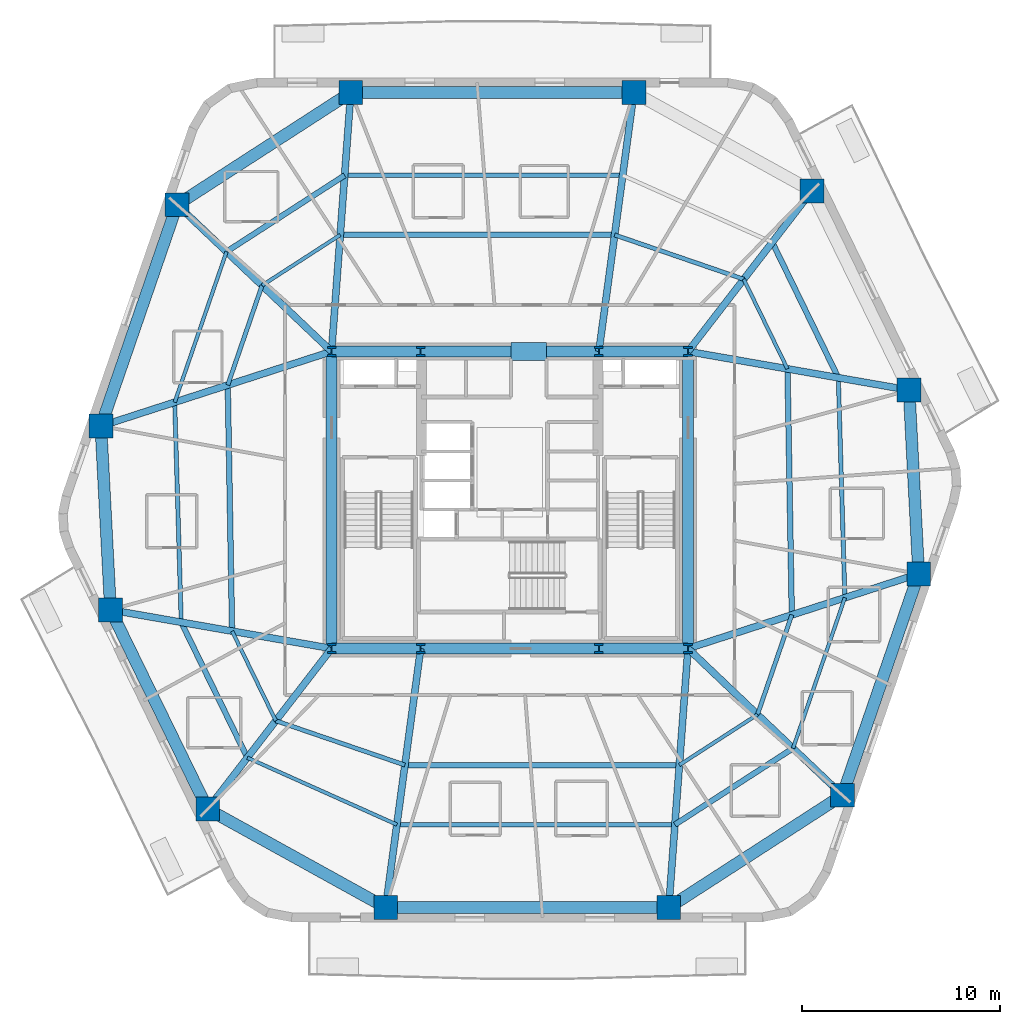
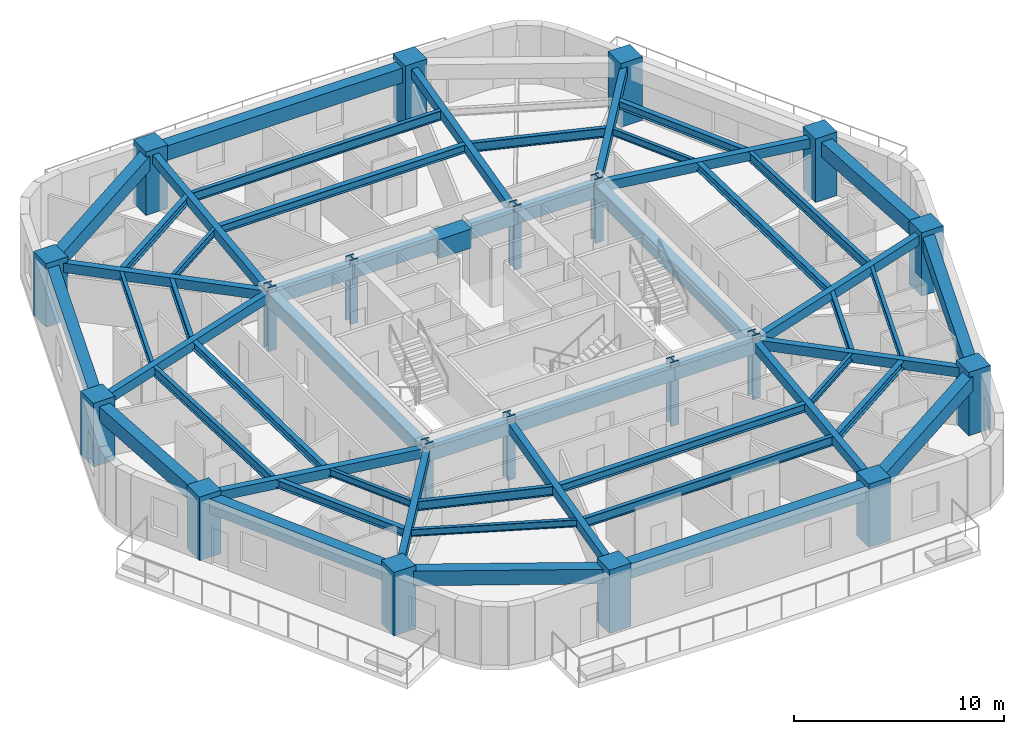
# One storey, part 1 of 10: 54 beams, 20 columns.
"""IFC4 building model written with IfcOpenShell, lengths in metres."""

from ifc_helpers import new_model, si_unit, direction, frame, origin, origin_2d, place, context, subcontext, project, spatial, rectangle, i_section, extrude, material, material_profile, profile_set, type_object, element, save


model = new_model("IFC4")

# Units and contexts
model_context = context("Model", 3, precision=1e-05, world=origin(), true_north=direction((0.0, 1.0)))
body_context = subcontext(model_context, "Body", "Model", "MODEL_VIEW")
ifc_project = project(units=[si_unit("LENGTHUNIT", "METRE"), si_unit("AREAUNIT", "SQUARE_METRE"), si_unit("VOLUMEUNIT", "CUBIC_METRE"), si_unit("PLANEANGLEUNIT", "RADIAN"), si_unit("MASSUNIT", "GRAM", prefix="KILO")], contexts=[model_context])

# Site, building, storey
site_placement = place(None, origin())
site = spatial("IfcSite", under=ifc_project, at=site_placement, CompositionType="ELEMENT")
building_placement = place(site_placement, origin())
building = spatial("IfcBuilding", under=site, at=building_placement, Name="Kilnhurst Terrace Hotel", CompositionType="ELEMENT")
storey_placement = place(building_placement, frame((0.0, 0.0, 91.39990234375)))
storey = spatial("IfcBuildingStorey", under=building, at=storey_placement, Name="L21", CompositionType="ELEMENT", Elevation=91.39990234375)

# Columns
ifc_material_1 = material(Name="Concrete C80/95", Category="concrete")
ifc_material_profile_1 = material_profile(ifc_material_1, rectangle(XDim=1.199951171875, YDim=1.199951171875, at=origin_2d()), Name="RC1200X1200")
ifc_profile_set_1 = profile_set([ifc_material_profile_1], Name="Concrete C80/95")
column_type_1 = type_object("IfcColumnType", Name="COL-RC-1200", PredefinedType="COLUMN", material=ifc_profile_set_1)
for number, where, z_axis, x_axis, name in (
    (1, (-6.26806640625, -20.580078125, 0.0), (0.0, 0.0, 1.0), (1.0, 0.0, 0.0), "L21 Structural Column PC-F11"),
    (2, (8.028076171875, -20.580078125, 0.0), (0.0, 0.0, 1.0), (1.0, 0.0, 0.0), "L21 Structural Column PC-F12"),
    (3, (16.800048828125, -14.910888671875, 0.0), (0.0, 0.0, 1.0), (1.0, 0.0, 0.0), "L21 Structural Column PC-F21"),
    (4, (20.64990234375, -3.73095703125, 0.0), (0.0, 0.0, 1.0), (1.0, 0.0, 0.0), "L21 Structural Column PC-F22"),
    (5, (20.1640625, 5.549072265625, 0.0), (0.0, 0.0, 1.0), (1.0, 0.0, 0.0), "L21 Structural Column PC-F31"),
    (6, (15.257080078125, 15.60888671875, 0.0), (0.0, 0.0, 1.0), (1.0, 0.0, 0.0), "L21 Structural Column PC-F32"),
    (7, (6.26806640625, 20.580078125, 0.0), (0.0, 0.0, 1.0), (1.0, 0.0, 0.0), "L21 Structural Column PC-F41"),
    (8, (-8.028076171875, 20.580078125, 0.0), (0.0, 0.0, 1.0), (1.0, 0.0, 0.0), "L21 Structural Column PC-F42"),
    (9, (-16.800048828125, 14.910888671875, 0.0), (0.0, 0.0, 1.0), (1.0, 0.0, 0.0), "L21 Structural Column PC-F51"),
    (10, (-20.64990234375, 3.73095703125, 0.0), (0.0, 0.0, 1.0), (1.0, 0.0, 0.0), "L21 Structural Column PC-F52"),
    (11, (-20.1640625, -5.549072265625, 0.0), (0.0, 0.0, 1.0), (1.0, 0.0, 0.0), "L21 Structural Column PC-F61"),
    (12, (-15.257080078125, -15.60888671875, 0.0), (0.0, 0.0, 1.0), (1.0, 0.0, 0.0), "L21 Structural Column PC-F62"),
):
    element("IfcColumn", number, at=place(storey_placement, frame(where, z_axis=z_axis, x_axis=x_axis)), inside=storey, type_object=column_type_1, Name=name, PredefinedType="COLUMN", context=body_context, shape_type="SweptSolid", body=[
        extrude(rectangle(XDim=1.199951171875, YDim=1.199951171875, at=origin_2d()), origin(), (0.0, 0.0, 1.0), 3.7001953125),
    ])
ifc_material_2 = material(Name="Steel ASTM A992 Grade 50", Category="steel")
ifc_material_profile_2 = material_profile(ifc_material_2, i_section(OverallWidth=0.43212890625, OverallDepth=0.497802734375, WebThickness=0.0556640625, FlangeThickness=0.0888671875, at=origin_2d()), Name="W14X500")
ifc_profile_set_2 = profile_set([ifc_material_profile_2], Name="Steel ASTM A992 Grade 50")
column_type_2 = type_object("IfcColumnType", Name="COL-STL-W14X500", PredefinedType="COLUMN", material=ifc_profile_set_2)
for number, where, z_axis, x_axis, name in (
    (13, (-9.0, -7.5, 0.0), (0.0, 0.0, 1.0), (1.0, 0.0, 0.0), "L21 Structural Column CC-SW"),
    (14, (-4.5, -7.5, 0.0), (0.0, 0.0, 1.0), (1.0, 0.0, 0.0), "L21 Structural Column CC-SC1"),
    (15, (4.5, -7.5, 0.0), (0.0, 0.0, 1.0), (1.0, 0.0, 0.0), "L21 Structural Column CC-SC2"),
    (16, (9.0, -7.5, 0.0), (0.0, 0.0, 1.0), (1.0, 0.0, 0.0), "L21 Structural Column CC-SE"),
    (17, (9.0, 7.5, 0.0), (0.0, 0.0, 1.0), (1.0, 0.0, 0.0), "L21 Structural Column CC-NE"),
    (18, (4.5, 7.5, 0.0), (0.0, 0.0, 1.0), (1.0, 0.0, 0.0), "L21 Structural Column CC-NC2"),
    (19, (-4.5, 7.5, 0.0), (0.0, 0.0, 1.0), (1.0, 0.0, 0.0), "L21 Structural Column CC-NC1"),
    (20, (-9.0, 7.5, 0.0), (0.0, 0.0, 1.0), (1.0, 0.0, 0.0), "L21 Structural Column CC-NW"),
):
    element("IfcColumn", number, at=place(storey_placement, frame(where, z_axis=z_axis, x_axis=x_axis)), inside=storey, type_object=column_type_2, Name=name, PredefinedType="COLUMN", context=body_context, shape_type="SweptSolid", body=[
        extrude(i_section(OverallWidth=0.43212890625, OverallDepth=0.497802734375, WebThickness=0.0556640625, FlangeThickness=0.0888671875, at=origin_2d()), origin(), (0.0, 0.0, 1.0), 3.7001953125),
    ])

# Beams
ifc_material_3 = material(Name="Concrete C50/60", Category="concrete")
ifc_material_profile_3 = material_profile(ifc_material_3, rectangle(XDim=0.35009765625, YDim=0.550048828125, at=origin_2d()), Name="RC350X550")
ifc_profile_set_3 = profile_set([ifc_material_profile_3], Name="Concrete C50/60")
beam_type_1 = type_object("IfcBeamType", Name="BM-RAD-350X550", PredefinedType="BEAM", material=ifc_profile_set_3)
beam_1_placement = place(storey_placement, frame((-4.5, -7.5, 3.125), z_axis=(-0.133954226177, -0.990987520249, 0.0), x_axis=(0.990987520249, -0.133954226177, 0.0)))
element("IfcBeam", 21, at=beam_1_placement, inside=storey, type_object=beam_type_1, Name="L21 Radial Floor Beam 1", PredefinedType="BEAM", context=body_context, shape_type="SweptSolid", body=[
    extrude(rectangle(XDim=0.35009765625, YDim=0.550048828125, at=origin_2d()), origin(), (0.0, 0.0, 1.0), 13.198974609375),
])
beam_2_placement = place(storey_placement, frame((9.0, -7.5, 3.125), z_axis=(-0.074101371747, -0.997250714066, 0.0), x_axis=(0.997250714066, -0.074101371747, 0.0)))
element("IfcBeam", 22, at=beam_2_placement, inside=storey, type_object=beam_type_1, Name="L21 Radial Floor Beam 2", PredefinedType="BEAM", context=body_context, shape_type="SweptSolid", body=[
    extrude(rectangle(XDim=0.35009765625, YDim=0.550048828125, at=origin_2d()), origin(), (0.0, 0.0, 1.0), 13.1162109375),
])
beam_3_placement = place(storey_placement, frame((9.0, -7.5, 3.125), z_axis=(0.724960341586, -0.688790609059, 0.0), x_axis=(0.688790609059, 0.724960341586, 0.0)))
element("IfcBeam", 23, at=beam_3_placement, inside=storey, type_object=beam_type_1, Name="L21 Radial Floor Beam 3", PredefinedType="BEAM", context=body_context, shape_type="SweptSolid", body=[
    extrude(rectangle(XDim=0.35009765625, YDim=0.550048828125, at=origin_2d()), origin(), (0.0, 0.0, 1.0), 10.75927734375),
])
beam_4_placement = place(storey_placement, frame((9.0, -7.5, 3.125), z_axis=(0.951445549065, 0.307817100182, 0.0), x_axis=(-0.307817100182, 0.951445549065, 0.0)))
element("IfcBeam", 24, at=beam_4_placement, inside=storey, type_object=beam_type_1, Name="L21 Radial Floor Beam 4", PredefinedType="BEAM", context=body_context, shape_type="SweptSolid", body=[
    extrude(rectangle(XDim=0.35009765625, YDim=0.550048828125, at=origin_2d()), origin(), (0.0, 0.0, 1.0), 12.244384765625),
])
beam_5_placement = place(storey_placement, frame((9.0, 7.5, 3.125), z_axis=(0.985072137567, -0.172142045384, 0.0), x_axis=(0.172142045384, 0.985072137567, 0.0)))
element("IfcBeam", 25, at=beam_5_placement, inside=storey, type_object=beam_type_1, Name="L21 Radial Floor Beam 5", PredefinedType="BEAM", context=body_context, shape_type="SweptSolid", body=[
    extrude(rectangle(XDim=0.35009765625, YDim=0.550048828125, at=origin_2d()), origin(), (0.0, 0.0, 1.0), 11.333251953125),
])
beam_6_placement = place(storey_placement, frame((9.0, 7.5, 3.125), z_axis=(0.610904638371, 0.79170418896, 0.0), x_axis=(-0.79170418896, 0.610904638371, 0.0)))
element("IfcBeam", 26, at=beam_6_placement, inside=storey, type_object=beam_type_1, Name="L21 Radial Floor Beam 6", PredefinedType="BEAM", context=body_context, shape_type="SweptSolid", body=[
    extrude(rectangle(XDim=0.35009765625, YDim=0.550048828125, at=origin_2d()), origin(), (0.0, 0.0, 1.0), 10.242431640625),
])
beam_7_placement = place(storey_placement, frame((4.5, 7.5, 3.125), z_axis=(0.133954226177, 0.990987520249, 0.0), x_axis=(-0.990987520249, 0.133954226177, 0.0)))
element("IfcBeam", 27, at=beam_7_placement, inside=storey, type_object=beam_type_1, Name="L21 Radial Floor Beam 7", PredefinedType="BEAM", context=body_context, shape_type="SweptSolid", body=[
    extrude(rectangle(XDim=0.35009765625, YDim=0.550048828125, at=origin_2d()), origin(), (0.0, 0.0, 1.0), 13.198974609375),
])
beam_8_placement = place(storey_placement, frame((-9.0, 7.5, 3.125), z_axis=(0.074101371747, 0.997250714066, 0.0), x_axis=(-0.997250714066, 0.074101371747, 0.0)))
element("IfcBeam", 28, at=beam_8_placement, inside=storey, type_object=beam_type_1, Name="L21 Radial Floor Beam 8", PredefinedType="BEAM", context=body_context, shape_type="SweptSolid", body=[
    extrude(rectangle(XDim=0.35009765625, YDim=0.550048828125, at=origin_2d()), origin(), (0.0, 0.0, 1.0), 13.1162109375),
])
beam_9_placement = place(storey_placement, frame((-9.0, 7.5, 3.125), z_axis=(-0.724960341586, 0.688790609059, 0.0), x_axis=(-0.688790609059, -0.724960341586, 0.0)))
element("IfcBeam", 29, at=beam_9_placement, inside=storey, type_object=beam_type_1, Name="L21 Radial Floor Beam 9", PredefinedType="BEAM", context=body_context, shape_type="SweptSolid", body=[
    extrude(rectangle(XDim=0.35009765625, YDim=0.550048828125, at=origin_2d()), origin(), (0.0, 0.0, 1.0), 10.75927734375),
])
beam_10_placement = place(storey_placement, frame((-9.0, 7.5, 3.125), z_axis=(-0.951445549065, -0.307817100182, 0.0), x_axis=(0.307817100182, -0.951445549065, 0.0)))
element("IfcBeam", 30, at=beam_10_placement, inside=storey, type_object=beam_type_1, Name="L21 Radial Floor Beam 10", PredefinedType="BEAM", context=body_context, shape_type="SweptSolid", body=[
    extrude(rectangle(XDim=0.35009765625, YDim=0.550048828125, at=origin_2d()), origin(), (0.0, 0.0, 1.0), 12.244384765625),
])
beam_11_placement = place(storey_placement, frame((-9.0, -7.5, 3.125), z_axis=(-0.985072137567, 0.172142045384, 0.0), x_axis=(-0.172142045384, -0.985072137567, 0.0)))
element("IfcBeam", 31, at=beam_11_placement, inside=storey, type_object=beam_type_1, Name="L21 Radial Floor Beam 11", PredefinedType="BEAM", context=body_context, shape_type="SweptSolid", body=[
    extrude(rectangle(XDim=0.35009765625, YDim=0.550048828125, at=origin_2d()), origin(), (0.0, 0.0, 1.0), 11.333251953125),
])
beam_12_placement = place(storey_placement, frame((-9.0, -7.5, 3.125), z_axis=(-0.610904638371, -0.79170418896, 0.0), x_axis=(0.79170418896, -0.610904638371, 0.0)))
element("IfcBeam", 32, at=beam_12_placement, inside=storey, type_object=beam_type_1, Name="L21 Radial Floor Beam 12", PredefinedType="BEAM", context=body_context, shape_type="SweptSolid", body=[
    extrude(rectangle(XDim=0.35009765625, YDim=0.550048828125, at=origin_2d()), origin(), (0.0, 0.0, 1.0), 10.242431640625),
])
ifc_material_profile_4 = material_profile(ifc_material_3, rectangle(XDim=0.550048828125, YDim=0.75, at=origin_2d()), Name="RC550X750")
ifc_profile_set_4 = profile_set([ifc_material_profile_4], Name="Concrete C50/60")
beam_type_2 = type_object("IfcBeamType", Name="BM-SPN-550X750", PredefinedType="SPANDREL", material=ifc_profile_set_4)
beam_13_placement = place(storey_placement, frame((-9.0, 7.5, 3.025146484375), z_axis=(1.0, 0.0, 0.0), x_axis=(0.0, 1.0, 0.0)))
element("IfcBeam", 33, at=beam_13_placement, inside=storey, type_object=beam_type_2, Name="L21 Core Tie Beam CC-NW to CC-NC1", PredefinedType="SPANDREL", context=body_context, shape_type="SweptSolid", body=[
    extrude(rectangle(XDim=0.550048828125, YDim=0.75, at=origin_2d()), origin(), (0.0, 0.0, 1.0), 4.5),
])
beam_14_placement = place(storey_placement, frame((-4.5, 7.5, 3.025146484375), z_axis=(1.0, 0.0, 0.0), x_axis=(0.0, 1.0, 0.0)))
element("IfcBeam", 34, at=beam_14_placement, inside=storey, type_object=beam_type_2, Name="L21 Core Tie Beam CC-NC1 to CC-NC2", PredefinedType="SPANDREL", context=body_context, shape_type="SweptSolid", body=[
    extrude(rectangle(XDim=0.550048828125, YDim=0.75, at=origin_2d()), origin(), (0.0, 0.0, 1.0), 9.0),
])
for number, where, z_axis, x_axis, name in (
    (35, (4.5, 7.5, 3.025146484375), (1.0, 0.0, 0.0), (0.0, 1.0, 0.0), "L21 Core Tie Beam CC-NC2 to CC-NE"),
    (36, (-9.0, -7.5, 3.025146484375), (1.0, 0.0, 0.0), (0.0, 1.0, 0.0), "L21 Core Tie Beam CC-SW to CC-SC1"),
):
    element("IfcBeam", number, at=place(storey_placement, frame(where, z_axis=z_axis, x_axis=x_axis)), inside=storey, type_object=beam_type_2, Name=name, PredefinedType="SPANDREL", context=body_context, shape_type="SweptSolid", body=[
        extrude(rectangle(XDim=0.550048828125, YDim=0.75, at=origin_2d()), origin(), (0.0, 0.0, 1.0), 4.5),
    ])
beam_15_placement = place(storey_placement, frame((-4.5, -7.5, 3.025146484375), z_axis=(1.0, 0.0, 0.0), x_axis=(0.0, 1.0, 0.0)))
element("IfcBeam", 37, at=beam_15_placement, inside=storey, type_object=beam_type_2, Name="L21 Core Tie Beam CC-SC1 to CC-SC2", PredefinedType="SPANDREL", context=body_context, shape_type="SweptSolid", body=[
    extrude(rectangle(XDim=0.550048828125, YDim=0.75, at=origin_2d()), origin(), (0.0, 0.0, 1.0), 9.0),
])
beam_16_placement = place(storey_placement, frame((4.5, -7.5, 3.025146484375), z_axis=(1.0, 0.0, 0.0), x_axis=(0.0, 1.0, 0.0)))
element("IfcBeam", 38, at=beam_16_placement, inside=storey, type_object=beam_type_2, Name="L21 Core Tie Beam CC-SC2 to CC-SE", PredefinedType="SPANDREL", context=body_context, shape_type="SweptSolid", body=[
    extrude(rectangle(XDim=0.550048828125, YDim=0.75, at=origin_2d()), origin(), (0.0, 0.0, 1.0), 4.5),
])
for number, where, z_axis, x_axis, name in (
    (39, (-9.0, -7.5, 3.025146484375), (0.0, 1.0, 0.0), (-1.0, 0.0, 0.0), "L21 Core Tie Beam CC-SW to CC-NW"),
    (40, (9.0, -7.5, 3.025146484375), (0.0, 1.0, 0.0), (-1.0, 0.0, 0.0), "L21 Core Tie Beam CC-SE to CC-NE"),
):
    element("IfcBeam", number, at=place(storey_placement, frame(where, z_axis=z_axis, x_axis=x_axis)), inside=storey, type_object=beam_type_2, Name=name, PredefinedType="SPANDREL", context=body_context, shape_type="SweptSolid", body=[
        extrude(rectangle(XDim=0.550048828125, YDim=0.75, at=origin_2d()), origin(), (0.0, 0.0, 1.0), 15.0),
    ])
ifc_material_profile_5 = material_profile(ifc_material_3, rectangle(XDim=0.60009765625, YDim=0.85009765625, at=origin_2d()), Name="RC600X850")
ifc_profile_set_5 = profile_set([ifc_material_profile_5], Name="Concrete C50/60")
beam_type_3 = type_object("IfcBeamType", Name="BM-SPN-600X850", PredefinedType="SPANDREL", material=ifc_profile_set_5)
beam_17_placement = place(storey_placement, frame((-6.26806640625, -20.580078125, 2.97509765625), z_axis=(1.0, 0.0, 0.0), x_axis=(0.0, 1.0, 0.0)))
element("IfcBeam", 41, at=beam_17_placement, inside=storey, type_object=beam_type_3, Name="L21 Perimeter Spandrel Beam 1", PredefinedType="SPANDREL", context=body_context, shape_type="SweptSolid", body=[
    extrude(rectangle(XDim=0.60009765625, YDim=0.85009765625, at=origin_2d()), origin(), (0.0, 0.0, 1.0), 14.296142578125),
])
beam_18_placement = place(storey_placement, frame((8.028076171875, -20.580078125, 2.97509765625), z_axis=(0.839866667472, 0.542792760517, 0.0), x_axis=(-0.542792760517, 0.839866667472, 0.0)))
element("IfcBeam", 42, at=beam_18_placement, inside=storey, type_object=beam_type_3, Name="L21 Perimeter Spandrel Beam 2", PredefinedType="SPANDREL", context=body_context, shape_type="SweptSolid", body=[
    extrude(rectangle(XDim=0.60009765625, YDim=0.85009765625, at=origin_2d()), origin(), (0.0, 0.0, 1.0), 10.444580078125),
])
beam_19_placement = place(storey_placement, frame((16.800048828125, -14.910888671875, 2.97509765625), z_axis=(0.325590408593, 0.945510912593, 0.0), x_axis=(-0.945510912593, 0.325590408593, 0.0)))
element("IfcBeam", 43, at=beam_19_placement, inside=storey, type_object=beam_type_3, Name="L21 Perimeter Spandrel Beam 3", PredefinedType="SPANDREL", context=body_context, shape_type="SweptSolid", body=[
    extrude(rectangle(XDim=0.60009765625, YDim=0.85009765625, at=origin_2d()), origin(), (0.0, 0.0, 1.0), 11.82421875),
])
beam_20_placement = place(storey_placement, frame((20.64990234375, -3.73095703125, 2.97509765625), z_axis=(-0.052281666706, 0.998632378469, 0.0), x_axis=(-0.998632378469, -0.052281666706, 0.0)))
element("IfcBeam", 44, at=beam_20_placement, inside=storey, type_object=beam_type_3, Name="L21 Perimeter Spandrel Beam 4", PredefinedType="SPANDREL", context=body_context, shape_type="SweptSolid", body=[
    extrude(rectangle(XDim=0.60009765625, YDim=0.85009765625, at=origin_2d()), origin(), (0.0, 0.0, 1.0), 9.292724609375),
])
beam_21_placement = place(storey_placement, frame((6.26806640625, 20.580078125, 2.97509765625), z_axis=(-1.0, 0.0, 0.0), x_axis=(0.0, -1.0, 0.0)))
element("IfcBeam", 45, at=beam_21_placement, inside=storey, type_object=beam_type_3, Name="L21 Perimeter Spandrel Beam 7", PredefinedType="SPANDREL", context=body_context, shape_type="SweptSolid", body=[
    extrude(rectangle(XDim=0.60009765625, YDim=0.85009765625, at=origin_2d()), origin(), (0.0, 0.0, 1.0), 14.296142578125),
])
beam_22_placement = place(storey_placement, frame((-8.028076171875, 20.580078125, 2.97509765625), z_axis=(-0.839866667472, -0.542792760517, 0.0), x_axis=(0.542792760517, -0.839866667472, 0.0)))
element("IfcBeam", 46, at=beam_22_placement, inside=storey, type_object=beam_type_3, Name="L21 Perimeter Spandrel Beam 8", PredefinedType="SPANDREL", context=body_context, shape_type="SweptSolid", body=[
    extrude(rectangle(XDim=0.60009765625, YDim=0.85009765625, at=origin_2d()), origin(), (0.0, 0.0, 1.0), 10.444580078125),
])
beam_23_placement = place(storey_placement, frame((-16.800048828125, 14.910888671875, 2.97509765625), z_axis=(-0.325590408593, -0.945510912593, 0.0), x_axis=(0.945510912593, -0.325590408593, 0.0)))
element("IfcBeam", 47, at=beam_23_placement, inside=storey, type_object=beam_type_3, Name="L21 Perimeter Spandrel Beam 9", PredefinedType="SPANDREL", context=body_context, shape_type="SweptSolid", body=[
    extrude(rectangle(XDim=0.60009765625, YDim=0.85009765625, at=origin_2d()), origin(), (0.0, 0.0, 1.0), 11.82421875),
])
beam_24_placement = place(storey_placement, frame((-20.64990234375, 3.73095703125, 2.97509765625), z_axis=(0.052281666706, -0.998632378469, 0.0), x_axis=(0.998632378469, 0.052281666706, 0.0)))
element("IfcBeam", 48, at=beam_24_placement, inside=storey, type_object=beam_type_3, Name="L21 Perimeter Spandrel Beam 10", PredefinedType="SPANDREL", context=body_context, shape_type="SweptSolid", body=[
    extrude(rectangle(XDim=0.60009765625, YDim=0.85009765625, at=origin_2d()), origin(), (0.0, 0.0, 1.0), 9.292724609375),
])
beam_25_placement = place(storey_placement, frame((-20.1640625, -5.549072265625, 2.97509765625), z_axis=(0.438406012271, -0.89877704043, 0.0), x_axis=(0.89877704043, 0.438406012271, 0.0)))
element("IfcBeam", 49, at=beam_25_placement, inside=storey, type_object=beam_type_3, Name="L21 Perimeter Spandrel Beam 11", PredefinedType="SPANDREL", context=body_context, shape_type="SweptSolid", body=[
    extrude(rectangle(XDim=0.60009765625, YDim=0.85009765625, at=origin_2d()), origin(), (0.0, 0.0, 1.0), 11.19287109375),
])
beam_26_placement = place(storey_placement, frame((-15.257080078125, -15.60888671875, 2.97509765625), z_axis=(0.875094010429, -0.483952965598, 0.0), x_axis=(0.483952965598, 0.875094010429, 0.0)))
element("IfcBeam", 50, at=beam_26_placement, inside=storey, type_object=beam_type_3, Name="L21 Perimeter Spandrel Beam 12", PredefinedType="SPANDREL", context=body_context, shape_type="SweptSolid", body=[
    extrude(rectangle(XDim=0.60009765625, YDim=0.85009765625, at=origin_2d()), origin(), (0.0, 0.0, 1.0), 10.27197265625),
])
ifc_material_profile_6 = material_profile(ifc_material_2, i_section(OverallWidth=0.180908203125, OverallDepth=0.417236328125, WebThickness=0.010986328125, FlangeThickness=0.018310546875, at=origin_2d()), Name="W16X57")
ifc_profile_set_6 = profile_set([ifc_material_profile_6], Name="Steel ASTM A992 Grade 50")
beam_type_4 = type_object("IfcBeamType", Name="JST-STL-W16X57", PredefinedType="JOIST", material=ifc_profile_set_6)
for number, where, z_axis, x_axis, name in (
    (51, (14.303955078125, -12.53955078125, 3.191162109375), (0.325612620381, 0.945503263584, 0.0), (-0.945503263584, 0.325612620381, 0.0), "L21 Secondary Floor Steel Joist OUT.3"),
    (52, (-14.303955078125, 12.53955078125, 3.191162109375), (-0.325612620381, -0.945503263584, 0.0), (0.945503263584, -0.325612620381, 0.0), "L21 Secondary Floor Steel Joist OUT.9"),
):
    element("IfcBeam", number, at=place(storey_placement, frame(where, z_axis=z_axis, x_axis=x_axis)), inside=storey, type_object=beam_type_4, Name=name, PredefinedType="JOIST", context=body_context, shape_type="SweptSolid", body=[
        extrude(i_section(OverallWidth=0.180908203125, OverallDepth=0.417236328125, WebThickness=0.010986328125, FlangeThickness=0.018310546875, at=origin_2d()), origin(), (0.0, 0.0, 1.0), 8.040771484375),
    ])
beam_27_placement = place(storey_placement, frame((-13.2548828125, -13.01416015625, 3.191162109375), z_axis=(0.912760935806, -0.408494154262, 0.0), x_axis=(0.408494154262, 0.912760935806, 0.0)))
element("IfcBeam", 53, at=beam_27_placement, inside=storey, type_object=beam_type_4, Name="L21 Secondary Floor Steel Joist OUT.12", PredefinedType="JOIST", context=body_context, shape_type="SweptSolid", body=[
    extrude(i_section(OverallWidth=0.180908203125, OverallDepth=0.417236328125, WebThickness=0.010986328125, FlangeThickness=0.018310546875, at=origin_2d()), origin(), (0.0, 0.0, 1.0), 8.274658203125),
])
beam_28_placement = place(storey_placement, frame((8.5625, -13.385986328125, 3.191162109375), z_axis=(0.839884974974, 0.542764432155, 0.0), x_axis=(-0.542764432155, 0.839884974974, 0.0)))
element("IfcBeam", 54, at=beam_28_placement, inside=storey, type_object=beam_type_4, Name="L21 Secondary Floor Steel Joist IN.2", PredefinedType="JOIST", context=body_context, shape_type="SweptSolid", body=[
    extrude(i_section(OverallWidth=0.180908203125, OverallDepth=0.417236328125, WebThickness=0.010986328125, FlangeThickness=0.018310546875, at=origin_2d()), origin(), (0.0, 0.0, 1.0), 4.699951171875),
])
beam_29_placement = place(storey_placement, frame((14.023681640625, 6.6220703125, 3.191162109375), z_axis=(-0.438389251087, 0.898785216017, 0.0), x_axis=(-0.898785216017, -0.438389251087, 0.0)))
element("IfcBeam", 55, at=beam_29_placement, inside=storey, type_object=beam_type_4, Name="L21 Secondary Floor Steel Joist IN.5", PredefinedType="JOIST", context=body_context, shape_type="SweptSolid", body=[
    extrude(i_section(OverallWidth=0.180908203125, OverallDepth=0.417236328125, WebThickness=0.010986328125, FlangeThickness=0.018310546875, at=origin_2d()), origin(), (0.0, 0.0, 1.0), 5.03662109375),
])
beam_30_placement = place(storey_placement, frame((-8.5625, 13.385986328125, 3.191162109375), z_axis=(-0.839884974974, -0.542764432155, 0.0), x_axis=(0.542764432155, -0.839884974974, 0.0)))
element("IfcBeam", 56, at=beam_30_placement, inside=storey, type_object=beam_type_4, Name="L21 Secondary Floor Steel Joist IN.8", PredefinedType="JOIST", context=body_context, shape_type="SweptSolid", body=[
    extrude(i_section(OverallWidth=0.180908203125, OverallDepth=0.417236328125, WebThickness=0.010986328125, FlangeThickness=0.018310546875, at=origin_2d()), origin(), (0.0, 0.0, 1.0), 4.699951171875),
])
beam_31_placement = place(storey_placement, frame((-14.023681640625, -6.6220703125, 3.191162109375), z_axis=(0.438389251087, -0.898785216017, 0.0), x_axis=(0.898785216017, 0.438389251087, 0.0)))
element("IfcBeam", 57, at=beam_31_placement, inside=storey, type_object=beam_type_4, Name="L21 Secondary Floor Steel Joist IN.11", PredefinedType="JOIST", context=body_context, shape_type="SweptSolid", body=[
    extrude(i_section(OverallWidth=0.180908203125, OverallDepth=0.417236328125, WebThickness=0.010986328125, FlangeThickness=0.018310546875, at=origin_2d()), origin(), (0.0, 0.0, 1.0), 5.03662109375),
])
ifc_material_profile_7 = material_profile(ifc_material_2, i_section(OverallWidth=0.279296875, OverallDepth=0.462890625, WebThickness=0.0107421875, FlangeThickness=0.017333984375, at=origin_2d()), Name="W18X76")
ifc_profile_set_7 = profile_set([ifc_material_profile_7], Name="Steel ASTM A992 Grade 50")
beam_type_5 = type_object("IfcBeamType", Name="JST-STL-W18X76", PredefinedType="JOIST", material=ifc_profile_set_7)
beam_32_placement = place(storey_placement, frame((8.339111328125, -16.394287109375, 3.168212890625), z_axis=(0.839882675086, 0.542767991034, 0.0), x_axis=(-0.542767991034, 0.839882675086, 0.0)))
element("IfcBeam", 58, at=beam_32_placement, inside=storey, type_object=beam_type_5, Name="L21 Secondary Floor Steel Joist OUT.2", PredefinedType="JOIST", context=body_context, shape_type="SweptSolid", body=[
    extrude(i_section(OverallWidth=0.279296875, OverallDepth=0.462890625, WebThickness=0.0107421875, FlangeThickness=0.017333984375, at=origin_2d()), origin(), (0.0, 0.0, 1.0), 7.10205078125),
])
beam_33_placement = place(storey_placement, frame((16.591552734375, 6.17333984375, 3.168212890625), z_axis=(-0.438390137084, 0.898784783865, 0.0), x_axis=(-0.898784783865, -0.438390137084, 0.0)))
element("IfcBeam", 59, at=beam_33_placement, inside=storey, type_object=beam_type_5, Name="L21 Secondary Floor Steel Joist OUT.5", PredefinedType="JOIST", context=body_context, shape_type="SweptSolid", body=[
    extrude(i_section(OverallWidth=0.279296875, OverallDepth=0.462890625, WebThickness=0.0107421875, FlangeThickness=0.017333984375, at=origin_2d()), origin(), (0.0, 0.0, 1.0), 7.611083984375),
])
beam_34_placement = place(storey_placement, frame((-8.339111328125, 16.394287109375, 3.168212890625), z_axis=(-0.839882675086, -0.542767991034, 0.0), x_axis=(0.542767991034, -0.839882675086, 0.0)))
element("IfcBeam", 60, at=beam_34_placement, inside=storey, type_object=beam_type_5, Name="L21 Secondary Floor Steel Joist OUT.8", PredefinedType="JOIST", context=body_context, shape_type="SweptSolid", body=[
    extrude(i_section(OverallWidth=0.279296875, OverallDepth=0.462890625, WebThickness=0.0107421875, FlangeThickness=0.017333984375, at=origin_2d()), origin(), (0.0, 0.0, 1.0), 7.10205078125),
])
beam_35_placement = place(storey_placement, frame((-16.591552734375, -6.17333984375, 3.168212890625), z_axis=(0.438390137084, -0.898784783865, 0.0), x_axis=(0.898784783865, 0.438390137084, 0.0)))
element("IfcBeam", 61, at=beam_35_placement, inside=storey, type_object=beam_type_5, Name="L21 Secondary Floor Steel Joist OUT.11", PredefinedType="JOIST", context=body_context, shape_type="SweptSolid", body=[
    extrude(i_section(OverallWidth=0.279296875, OverallDepth=0.462890625, WebThickness=0.0107421875, FlangeThickness=0.017333984375, at=origin_2d()), origin(), (0.0, 0.0, 1.0), 7.611083984375),
])
beam_36_placement = place(storey_placement, frame((-5.295654296875, -13.385986328125, 3.168212890625), z_axis=(1.0, 0.0, 0.0), x_axis=(0.0, 1.0, 0.0)))
element("IfcBeam", 62, at=beam_36_placement, inside=storey, type_object=beam_type_5, Name="L21 Secondary Floor Steel Joist IN.1", PredefinedType="JOIST", context=body_context, shape_type="SweptSolid", body=[
    extrude(i_section(OverallWidth=0.279296875, OverallDepth=0.462890625, WebThickness=0.0107421875, FlangeThickness=0.017333984375, at=origin_2d()), origin(), (0.0, 0.0, 1.0), 13.858154296875),
])
beam_37_placement = place(storey_placement, frame((14.242431640625, -5.803955078125, 3.168212890625), z_axis=(-0.017601453796, 0.999845082412, 0.0), x_axis=(-0.999845082412, -0.017601453796, 0.0)))
element("IfcBeam", 63, at=beam_37_placement, inside=storey, type_object=beam_type_5, Name="L21 Secondary Floor Steel Joist IN.4", PredefinedType="JOIST", context=body_context, shape_type="SweptSolid", body=[
    extrude(i_section(OverallWidth=0.279296875, OverallDepth=0.462890625, WebThickness=0.0107421875, FlangeThickness=0.017333984375, at=origin_2d()), origin(), (0.0, 0.0, 1.0), 12.427978515625),
])
beam_38_placement = place(storey_placement, frame((5.295654296875, 13.385986328125, 3.168212890625), z_axis=(-1.0, 0.0, 0.0), x_axis=(0.0, -1.0, 0.0)))
element("IfcBeam", 64, at=beam_38_placement, inside=storey, type_object=beam_type_5, Name="L21 Secondary Floor Steel Joist IN.7", PredefinedType="JOIST", context=body_context, shape_type="SweptSolid", body=[
    extrude(i_section(OverallWidth=0.279296875, OverallDepth=0.462890625, WebThickness=0.0107421875, FlangeThickness=0.017333984375, at=origin_2d()), origin(), (0.0, 0.0, 1.0), 13.858154296875),
])
beam_39_placement = place(storey_placement, frame((-14.242431640625, 5.803955078125, 3.168212890625), z_axis=(0.017601453796, -0.999845082412, 0.0), x_axis=(0.999845082412, 0.017601453796, 0.0)))
element("IfcBeam", 65, at=beam_39_placement, inside=storey, type_object=beam_type_5, Name="L21 Secondary Floor Steel Joist IN.10", PredefinedType="JOIST", context=body_context, shape_type="SweptSolid", body=[
    extrude(i_section(OverallWidth=0.279296875, OverallDepth=0.462890625, WebThickness=0.0107421875, FlangeThickness=0.017333984375, at=origin_2d()), origin(), (0.0, 0.0, 1.0), 12.427978515625),
])
ifc_material_profile_8 = material_profile(ifc_material_2, i_section(OverallWidth=0.2138671875, OverallDepth=0.549072265625, WebThickness=0.0146484375, FlangeThickness=0.023681640625, at=origin_2d()), Name="W21X93")
ifc_profile_set_8 = profile_set([ifc_material_profile_8], Name="Steel ASTM A992 Grade 50")
beam_type_6 = type_object("IfcBeamType", Name="JST-STL-W21X93", PredefinedType="JOIST", material=ifc_profile_set_8)
beam_40_placement = place(storey_placement, frame((-5.7021484375, -16.394287109375, 3.125), z_axis=(1.0, 0.0, 0.0), x_axis=(0.0, 1.0, 0.0)))
element("IfcBeam", 66, at=beam_40_placement, inside=storey, type_object=beam_type_6, Name="L21 Secondary Floor Steel Joist OUT.1", PredefinedType="JOIST", context=body_context, shape_type="SweptSolid", body=[
    extrude(i_section(OverallWidth=0.2138671875, OverallDepth=0.549072265625, WebThickness=0.0146484375, FlangeThickness=0.023681640625, at=origin_2d()), origin(), (0.0, 0.0, 1.0), 14.041259765625),
])
beam_41_placement = place(storey_placement, frame((16.922119140625, -4.93701171875, 3.125), z_axis=(-0.029739849895, 0.999557672837, 0.0), x_axis=(-0.999557672837, -0.029739849895, 0.0)))
element("IfcBeam", 67, at=beam_41_placement, inside=storey, type_object=beam_type_6, Name="L21 Secondary Floor Steel Joist OUT.4", PredefinedType="JOIST", context=body_context, shape_type="SweptSolid", body=[
    extrude(i_section(OverallWidth=0.2138671875, OverallDepth=0.549072265625, WebThickness=0.0146484375, FlangeThickness=0.023681640625, at=origin_2d()), origin(), (0.0, 0.0, 1.0), 11.115234375),
])
beam_42_placement = place(storey_placement, frame((5.7021484375, 16.394287109375, 3.125), z_axis=(-1.0, 0.0, 0.0), x_axis=(0.0, -1.0, 0.0)))
element("IfcBeam", 68, at=beam_42_placement, inside=storey, type_object=beam_type_6, Name="L21 Secondary Floor Steel Joist OUT.7", PredefinedType="JOIST", context=body_context, shape_type="SweptSolid", body=[
    extrude(i_section(OverallWidth=0.2138671875, OverallDepth=0.549072265625, WebThickness=0.0146484375, FlangeThickness=0.023681640625, at=origin_2d()), origin(), (0.0, 0.0, 1.0), 14.041259765625),
])
beam_43_placement = place(storey_placement, frame((-16.922119140625, 4.93701171875, 3.125), z_axis=(0.029739849895, -0.999557672837, 0.0), x_axis=(0.999557672837, 0.029739849895, 0.0)))
element("IfcBeam", 69, at=beam_43_placement, inside=storey, type_object=beam_type_6, Name="L21 Secondary Floor Steel Joist OUT.10", PredefinedType="JOIST", context=body_context, shape_type="SweptSolid", body=[
    extrude(i_section(OverallWidth=0.2138671875, OverallDepth=0.549072265625, WebThickness=0.0146484375, FlangeThickness=0.023681640625, at=origin_2d()), origin(), (0.0, 0.0, 1.0), 11.115234375),
])
beam_44_placement = place(storey_placement, frame((12.510009765625, -10.8349609375, 3.125), z_axis=(0.325586238877, 0.945512348441, 0.0), x_axis=(-0.945512348441, 0.325586238877, 0.0)))
element("IfcBeam", 70, at=beam_44_placement, inside=storey, type_object=beam_type_6, Name="L21 Secondary Floor Steel Joist IN.3", PredefinedType="JOIST", context=body_context, shape_type="SweptSolid", body=[
    extrude(i_section(OverallWidth=0.2138671875, OverallDepth=0.549072265625, WebThickness=0.0146484375, FlangeThickness=0.023681640625, at=origin_2d()), origin(), (0.0, 0.0, 1.0), 5.321044921875),
])
beam_45_placement = place(storey_placement, frame((11.815673828125, 11.14892578125, 3.125), z_axis=(-0.945873585837, 0.324535297949, 0.0), x_axis=(-0.324535297949, -0.945873585837, 0.0)))
element("IfcBeam", 71, at=beam_45_placement, inside=storey, type_object=beam_type_6, Name="L21 Secondary Floor Steel Joist IN.6", PredefinedType="JOIST", context=body_context, shape_type="SweptSolid", body=[
    extrude(i_section(OverallWidth=0.2138671875, OverallDepth=0.549072265625, WebThickness=0.0146484375, FlangeThickness=0.023681640625, at=origin_2d()), origin(), (0.0, 0.0, 1.0), 6.89306640625),
])
beam_46_placement = place(storey_placement, frame((-12.510009765625, 10.8349609375, 3.125), z_axis=(-0.325586238877, -0.945512348441, 0.0), x_axis=(0.945512348441, -0.325586238877, 0.0)))
element("IfcBeam", 72, at=beam_46_placement, inside=storey, type_object=beam_type_6, Name="L21 Secondary Floor Steel Joist IN.9", PredefinedType="JOIST", context=body_context, shape_type="SweptSolid", body=[
    extrude(i_section(OverallWidth=0.2138671875, OverallDepth=0.549072265625, WebThickness=0.0146484375, FlangeThickness=0.023681640625, at=origin_2d()), origin(), (0.0, 0.0, 1.0), 5.321044921875),
])
beam_47_placement = place(storey_placement, frame((-11.815673828125, -11.14892578125, 3.125), z_axis=(0.945873585837, -0.324535297949, 0.0), x_axis=(0.324535297949, 0.945873585837, 0.0)))
element("IfcBeam", 73, at=beam_47_placement, inside=storey, type_object=beam_type_6, Name="L21 Secondary Floor Steel Joist IN.12", PredefinedType="JOIST", context=body_context, shape_type="SweptSolid", body=[
    extrude(i_section(OverallWidth=0.2138671875, OverallDepth=0.549072265625, WebThickness=0.0146484375, FlangeThickness=0.023681640625, at=origin_2d()), origin(), (0.0, 0.0, 1.0), 6.89306640625),
])
ifc_material_profile_9 = material_profile(ifc_material_1, rectangle(XDim=0.89990234375, YDim=1.10009765625, at=origin_2d()), Name="RC900X1100")
ifc_profile_set_9 = profile_set([ifc_material_profile_9], Name="Concrete C80/95")
beam_type_7 = type_object("IfcBeamType", Name="LNT-CB-900X1100", PredefinedType="LINTEL", material=ifc_profile_set_9)
beam_48_placement = place(storey_placement, frame((0.050048828125, 7.5, 2.85009765625), z_axis=(1.0, 0.0, 0.0), x_axis=(0.0, 1.0, 0.0)))
element("IfcBeam", 74, at=beam_48_placement, inside=storey, type_object=beam_type_7, Name="L21 North Core Coupling Link Beam", PredefinedType="LINTEL", context=body_context, shape_type="SweptSolid", body=[
    extrude(rectangle(XDim=0.89990234375, YDim=1.10009765625, at=origin_2d()), origin(), (0.0, 0.0, 1.0), 1.800048828125),
])

save(model, "model.ifc")
